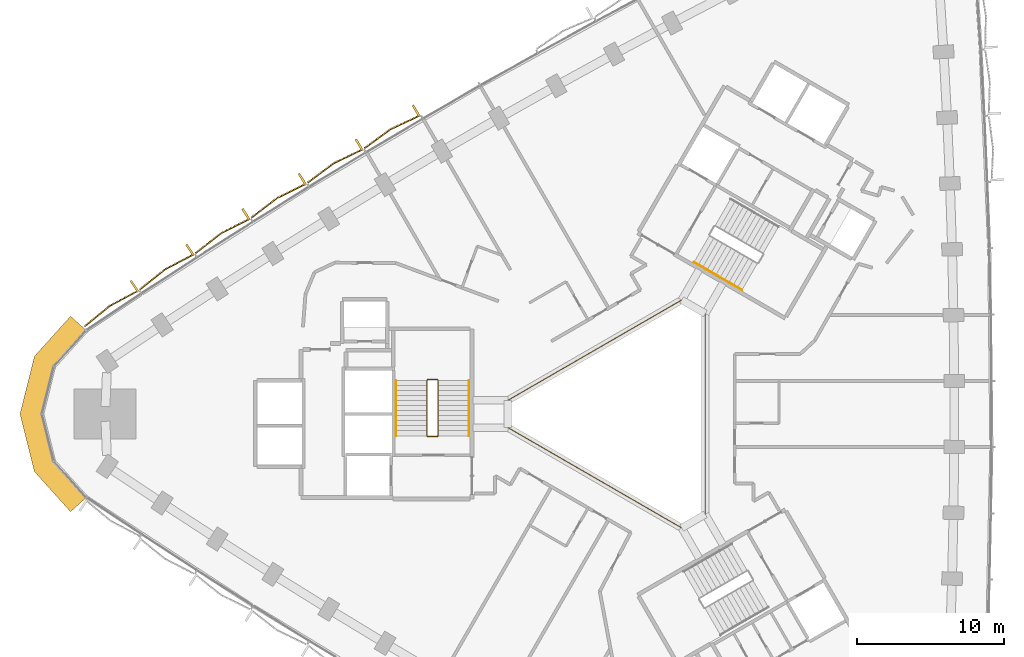
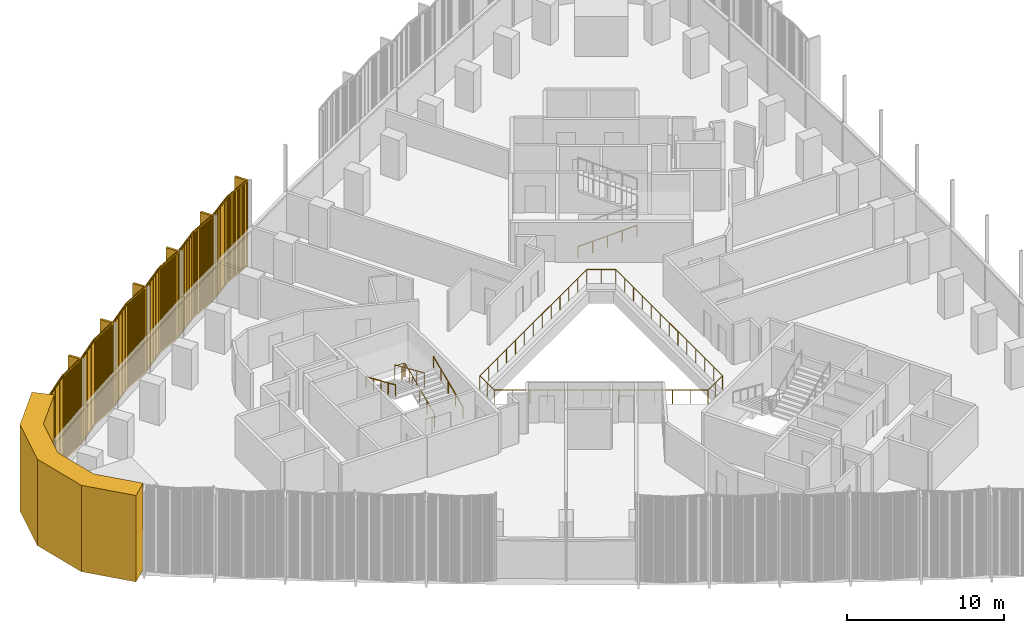
# One storey, part 15 of 16: 7 coverings, 5 railings.
"""IFC4 building model written with IfcOpenShell, lengths in metres."""

from ifc_helpers import new_model, si_unit, direction, frame, frame_2d, origin, origin_2d, place, context, subcontext, project, spatial, polyline, rectangle, circle, outline, extrude, source, transform, mapped, material, layer, layer_set, type_object, element, save


model = new_model("IFC4")

# Units and contexts
model_context = context("Model", 3, precision=1e-05, world=origin(), true_north=direction((0.0, 1.0)))
body_context = subcontext(model_context, "Body", "Model", "MODEL_VIEW")
ifc_project = project(units=[si_unit("LENGTHUNIT", "METRE"), si_unit("AREAUNIT", "SQUARE_METRE"), si_unit("VOLUMEUNIT", "CUBIC_METRE"), si_unit("PLANEANGLEUNIT", "RADIAN"), si_unit("MASSUNIT", "GRAM", prefix="KILO")], contexts=[model_context])

# Site, building, storey
site_placement = place(None, origin())
site = spatial("IfcSite", under=ifc_project, at=site_placement, CompositionType="ELEMENT")
building_placement = place(site_placement, origin())
building = spatial("IfcBuilding", under=site, at=building_placement, Name="Tamra Quay Hotel Tower", CompositionType="ELEMENT")
storey_placement = place(building_placement, frame((0.0, 0.0, 56.60009765625)))
storey = spatial("IfcBuildingStorey", under=building, at=storey_placement, Name="L12", CompositionType="ELEMENT", Elevation=56.60009765625)

# Covering
ifc_material_1 = material(Name="Precast concrete M60 terracotta-coloured", Category="masonry")
ifc_layer = layer(ifc_material_1, 1.449951171875)
ifc_layer_set = layer_set([ifc_layer], Name="CORNER PIER PANEL")
covering_type_1 = type_object("IfcCoveringType", Name="CORNER PIER PANEL", PredefinedType="CLADDING", material=ifc_layer_set)
covering_placement = place(storey_placement, origin())
element("IfcCovering", 1, at=covering_placement, inside=storey, type_object=covering_type_1, Name="Corner pier L12.north-west", PredefinedType="CLADDING", context=body_context, shape_type="SweptSolid", body=[
    extrude(outline(polyline([(-37.001708984375, 5.6669921875), (-38.0791015625, 6.63720703125), (-40.5341796875, 3.91064453125), (-41.509033203125, 0.0), (-40.5341796875, -3.91064453125), (-38.0791015625, -6.63720703125), (-37.001708984375, -5.6669921875), (-39.214599609375, -3.208984375), (-40.0146484375, 0.0), (-39.214599609375, 3.208984375), (-37.001708984375, 5.6669921875)])), origin(), (0.0, 0.0, 1.0), 6.724853515625),
])

# Railings
ifc_material_2 = material(Name="Guard atrium edge 1100")
railing_type_1 = type_object("IfcRailingType", Name="Guard atrium edge 1100", PredefinedType="GUARDRAIL", material=ifc_material_2)
railing_1_placement = place(storey_placement, frame((5.0, -6.81298828125, 0.0)))
element("IfcRailing", 2, at=railing_1_placement, inside=storey, type_object=railing_type_1, Name="G-A", PredefinedType="GUARDRAIL", context=body_context, shape_type="SweptSolid", body=[
    extrude(circle(Radius=0.02392578125, at=origin_2d()), frame((0.0, 0.0, 1.076171875), z_axis=(-0.866194386982, -0.499707198227, 0.0), x_axis=(0.499707198227, -0.866194386982, 0.0)), (0.0, 0.0, 1.0), 1.84716796875),
    extrude(circle(Radius=0.02392578125, at=origin_2d()), frame((-1.60009765625, -0.923095703125, 1.076171875), z_axis=(-0.866044747976, 0.49996649338, 0.0), x_axis=(-0.49996649338, -0.866044747976, 0.0)), (0.0, 0.0, 1.0), 13.625),
    extrude(circle(Radius=0.02392578125, at=origin_2d()), frame((-13.39990234375, 5.888916015625, 1.076171875), z_axis=(0.0, 1.0, 0.0), x_axis=(-1.0, 0.0, 0.0)), (0.0, 0.0, 1.0), 1.84814453125),
    extrude(circle(Radius=0.02392578125, at=origin_2d()), frame((-13.39990234375, 7.737060546875, 1.076171875), z_axis=(0.866044747976, 0.49996649338, 0.0), x_axis=(-0.49996649338, 0.866044747976, 0.0)), (0.0, 0.0, 1.0), 13.625),
    extrude(circle(Radius=0.02392578125, at=origin_2d()), frame((-1.60009765625, 14.549072265625, 1.076171875), z_axis=(0.866194386982, -0.499707198227, 0.0), x_axis=(0.499707198227, 0.866194386982, 0.0)), (0.0, 0.0, 1.0), 1.84716796875),
    extrude(circle(Radius=0.02392578125, at=origin_2d()), frame((0.0, 13.6259765625, 1.076171875), z_axis=(0.0, -1.0, 0.0), x_axis=(1.0, 0.0, 0.0)), (0.0, 0.0, 1.0), 13.6259765625),
    extrude(circle(Radius=0.02099609375, at=origin_2d()), origin(), (0.0, 0.0, 1.0), 1.052001953125),
    extrude(circle(Radius=0.02099609375, at=origin_2d()), frame((-0.800048828125, -0.46142578125, 0.0)), (0.0, 0.0, 1.0), 1.052001953125),
    extrude(circle(Radius=0.02099609375, at=origin_2d()), frame((-1.60009765625, -0.923095703125, 0.0)), (0.0, 0.0, 1.0), 1.052001953125),
    extrude(circle(Radius=0.02099609375, at=origin_2d()), frame((-2.58349609375, -0.35546875, 0.0)), (0.0, 0.0, 1.0), 1.052001953125),
    extrude(circle(Radius=0.02099609375, at=origin_2d()), frame((-3.566650390625, 0.212158203125, 0.0)), (0.0, 0.0, 1.0), 1.052001953125),
    extrude(circle(Radius=0.02099609375, at=origin_2d()), frame((-4.550048828125, 0.77978515625, 0.0)), (0.0, 0.0, 1.0), 1.052001953125),
    extrude(circle(Radius=0.02099609375, at=origin_2d()), frame((-5.533447265625, 1.34765625, 0.0)), (0.0, 0.0, 1.0), 1.052001953125),
    extrude(circle(Radius=0.02099609375, at=origin_2d()), frame((-6.5166015625, 1.915283203125, 0.0)), (0.0, 0.0, 1.0), 1.052001953125),
    extrude(circle(Radius=0.02099609375, at=origin_2d()), frame((-7.5, 2.48291015625, 0.0)), (0.0, 0.0, 1.0), 1.052001953125),
    extrude(circle(Radius=0.02099609375, at=origin_2d()), frame((-8.4833984375, 3.050537109375, 0.0)), (0.0, 0.0, 1.0), 1.052001953125),
    extrude(circle(Radius=0.02099609375, at=origin_2d()), frame((-9.466552734375, 3.6181640625, 0.0)), (0.0, 0.0, 1.0), 1.052001953125),
    extrude(circle(Radius=0.02099609375, at=origin_2d()), frame((-10.449951171875, 4.18603515625, 0.0)), (0.0, 0.0, 1.0), 1.052001953125),
    extrude(circle(Radius=0.02099609375, at=origin_2d()), frame((-11.433349609375, 4.753662109375, 0.0)), (0.0, 0.0, 1.0), 1.052001953125),
    extrude(circle(Radius=0.02099609375, at=origin_2d()), frame((-12.41650390625, 5.3212890625, 0.0)), (0.0, 0.0, 1.0), 1.052001953125),
    extrude(circle(Radius=0.02099609375, at=origin_2d()), frame((-13.39990234375, 5.888916015625, 0.0)), (0.0, 0.0, 1.0), 1.052001953125),
    extrude(circle(Radius=0.02099609375, at=origin_2d()), frame((-13.39990234375, 6.81298828125, 0.0)), (0.0, 0.0, 1.0), 1.052001953125),
    extrude(circle(Radius=0.02099609375, at=origin_2d()), frame((-13.39990234375, 7.737060546875, 0.0)), (0.0, 0.0, 1.0), 1.052001953125),
    extrude(circle(Radius=0.02099609375, at=origin_2d()), frame((-12.41650390625, 8.3046875, 0.0)), (0.0, 0.0, 1.0), 1.052001953125),
    extrude(circle(Radius=0.02099609375, at=origin_2d()), frame((-11.433349609375, 8.872314453125, 0.0)), (0.0, 0.0, 1.0), 1.052001953125),
    extrude(circle(Radius=0.02099609375, at=origin_2d()), frame((-10.449951171875, 9.43994140625, 0.0)), (0.0, 0.0, 1.0), 1.052001953125),
    extrude(circle(Radius=0.02099609375, at=origin_2d()), frame((-9.466552734375, 10.0078125, 0.0)), (0.0, 0.0, 1.0), 1.052001953125),
    extrude(circle(Radius=0.02099609375, at=origin_2d()), frame((-8.4833984375, 10.575439453125, 0.0)), (0.0, 0.0, 1.0), 1.052001953125),
    extrude(circle(Radius=0.02099609375, at=origin_2d()), frame((-7.5, 11.14306640625, 0.0)), (0.0, 0.0, 1.0), 1.052001953125),
    extrude(circle(Radius=0.02099609375, at=origin_2d()), frame((-6.5166015625, 11.710693359375, 0.0)), (0.0, 0.0, 1.0), 1.052001953125),
    extrude(circle(Radius=0.02099609375, at=origin_2d()), frame((-5.533447265625, 12.2783203125, 0.0)), (0.0, 0.0, 1.0), 1.052001953125),
    extrude(circle(Radius=0.02099609375, at=origin_2d()), frame((-4.550048828125, 12.84619140625, 0.0)), (0.0, 0.0, 1.0), 1.052001953125),
    extrude(circle(Radius=0.02099609375, at=origin_2d()), frame((-3.566650390625, 13.413818359375, 0.0)), (0.0, 0.0, 1.0), 1.052001953125),
    extrude(circle(Radius=0.02099609375, at=origin_2d()), frame((-2.58349609375, 13.9814453125, 0.0)), (0.0, 0.0, 1.0), 1.052001953125),
    extrude(circle(Radius=0.02099609375, at=origin_2d()), frame((-1.60009765625, 14.549072265625, 0.0)), (0.0, 0.0, 1.0), 1.052001953125),
    extrude(circle(Radius=0.02099609375, at=origin_2d()), frame((-0.800048828125, 14.08740234375, 0.0)), (0.0, 0.0, 1.0), 1.052001953125),
    extrude(circle(Radius=0.02099609375, at=origin_2d()), frame((0.0, 13.6259765625, 0.0)), (0.0, 0.0, 1.0), 1.052001953125),
    extrude(circle(Radius=0.02099609375, at=origin_2d()), frame((0.0, 12.490478515625, 0.0)), (0.0, 0.0, 1.0), 1.052001953125),
    extrude(circle(Radius=0.02099609375, at=origin_2d()), frame((0.0, 11.35498046875, 0.0)), (0.0, 0.0, 1.0), 1.052001953125),
    extrude(circle(Radius=0.02099609375, at=origin_2d()), frame((0.0, 10.219482421875, 0.0)), (0.0, 0.0, 1.0), 1.052001953125),
    extrude(circle(Radius=0.02099609375, at=origin_2d()), frame((0.0, 9.083984375, 0.0)), (0.0, 0.0, 1.0), 1.052001953125),
    extrude(circle(Radius=0.02099609375, at=origin_2d()), frame((0.0, 7.948486328125, 0.0)), (0.0, 0.0, 1.0), 1.052001953125),
    extrude(circle(Radius=0.02099609375, at=origin_2d()), frame((0.0, 6.81298828125, 0.0)), (0.0, 0.0, 1.0), 1.052001953125),
    extrude(circle(Radius=0.02099609375, at=origin_2d()), frame((0.0, 5.677490234375, 0.0)), (0.0, 0.0, 1.0), 1.052001953125),
    extrude(circle(Radius=0.02099609375, at=origin_2d()), frame((0.0, 4.5419921875, 0.0)), (0.0, 0.0, 1.0), 1.052001953125),
    extrude(circle(Radius=0.02099609375, at=origin_2d()), frame((0.0, 3.406494140625, 0.0)), (0.0, 0.0, 1.0), 1.052001953125),
    extrude(circle(Radius=0.02099609375, at=origin_2d()), frame((0.0, 2.27099609375, 0.0)), (0.0, 0.0, 1.0), 1.052001953125),
    extrude(circle(Radius=0.02099609375, at=origin_2d()), frame((0.0, 1.135498046875, 0.0)), (0.0, 0.0, 1.0), 1.052001953125),
])
ifc_material_3 = material(Name="Stair guard 1100")
railing_type_2 = type_object("IfcRailingType", Name="Stair guard 1100", PredefinedType="GUARDRAIL", material=ifc_material_3)
railing_2_placement = place(storey_placement, frame((-13.84130859375, -1.530029296875, 0.0)))
element("IfcRailing", 3, at=railing_2_placement, inside=storey, type_object=railing_type_2, Name="GR", PredefinedType="GUARDRAIL", context=body_context, shape_type="SweptSolid", body=[
    extrude(circle(Radius=0.02392578125, at=origin_2d()), frame((0.0, 0.0, 1.076171875), z_axis=(1.0, 0.0, 0.0), x_axis=(0.0, 1.0, 0.0)), (0.0, 0.0, 1.0), 0.658935546875),
    extrude(circle(Radius=0.02392578125, at=origin_2d()), frame((0.658935546875, 0.0, 1.076171875), z_axis=(0.301912943143, 0.301912943143, 0.904266083366), x_axis=(-0.707106781187, 0.707106781187, 0.0)), (0.0, 0.0, 1.0), 0.165771484375),
    extrude(circle(Radius=0.02392578125, at=origin_2d()), frame((0.708984375, 0.050048828125, 1.22607421875), z_axis=(0.0, 0.915795495799, 0.401644880304), x_axis=(-1.0, 0.0, 0.0)), (0.0, 0.0, 1.0), 4.10791015625),
    extrude(circle(Radius=0.02392578125, at=origin_2d()), frame((0.708984375, 3.81201171875, 2.8759765625), z_axis=(-0.708833529934, 0.705375805398, 0.0), x_axis=(-0.705375805398, -0.708833529934, 0.0)), (0.0, 0.0, 1.0), 0.070556640625),
    extrude(circle(Radius=0.02392578125, at=origin_2d()), frame((0.658935546875, 3.86181640625, 2.8759765625), z_axis=(-1.0, 0.0, 0.0), x_axis=(0.0, -1.0, 0.0)), (0.0, 0.0, 1.0), 0.658935546875),
    extrude(circle(Radius=0.02392578125, at=origin_2d()), frame((0.0, 3.86181640625, 2.8759765625), z_axis=(-0.301644814947, -0.300173376825, 0.904934444842), x_axis=(0.705375805398, -0.708833529934, 0.0)), (0.0, 0.0, 1.0), 0.166015625),
    extrude(circle(Radius=0.02392578125, at=origin_2d()), frame((-0.050048828125, 3.81201171875, 3.02587890625), z_axis=(0.0, -0.915795495799, 0.401644880304), x_axis=(1.0, 0.0, 0.0)), (0.0, 0.0, 1.0), 4.10791015625),
    extrude(circle(Radius=0.02099609375, at=origin_2d()), origin(), (0.0, 0.0, 1.0), 1.052001953125),
    extrude(circle(Radius=0.02099609375, at=origin_2d()), frame((0.658935546875, 0.0, 0.0)), (0.0, 0.0, 1.0), 1.052001953125),
    extrude(circle(Radius=0.02099609375, at=origin_2d()), frame((0.708984375, 0.050048828125, 0.14990234375)), (0.0, 0.0, 1.0), 1.052001953125),
    extrude(circle(Radius=0.02099609375, at=origin_2d()), frame((0.708984375, 0.990478515625, 0.5625)), (0.0, 0.0, 1.0), 1.052001953125),
    extrude(circle(Radius=0.02099609375, at=origin_2d()), frame((0.708984375, 1.93115234375, 0.974853515625)), (0.0, 0.0, 1.0), 1.052001953125),
    extrude(circle(Radius=0.02099609375, at=origin_2d()), frame((0.708984375, 2.87158203125, 1.38720703125)), (0.0, 0.0, 1.0), 1.052001953125),
    extrude(circle(Radius=0.02099609375, at=origin_2d()), frame((0.708984375, 3.81201171875, 1.7998046875)), (0.0, 0.0, 1.0), 1.052001953125),
    extrude(circle(Radius=0.02099609375, at=origin_2d()), frame((0.658935546875, 3.86181640625, 1.7998046875)), (0.0, 0.0, 1.0), 1.052001953125),
    extrude(circle(Radius=0.02099609375, at=origin_2d()), frame((0.0, 3.86181640625, 1.7998046875)), (0.0, 0.0, 1.0), 1.052001953125),
    extrude(circle(Radius=0.02099609375, at=origin_2d()), frame((-0.050048828125, 3.81201171875, 1.949951171875)), (0.0, 0.0, 1.0), 1.052001953125),
    extrude(circle(Radius=0.02099609375, at=origin_2d()), frame((-0.050048828125, 2.87158203125, 2.3623046875)), (0.0, 0.0, 1.0), 1.052001953125),
    extrude(circle(Radius=0.02099609375, at=origin_2d()), frame((-0.050048828125, 1.93115234375, 2.77490234375)), (0.0, 0.0, 1.0), 1.052001953125),
    extrude(circle(Radius=0.02099609375, at=origin_2d()), frame((-0.050048828125, 0.990478515625, 3.1875)), (0.0, 0.0, 1.0), 1.052001953125),
    extrude(circle(Radius=0.02099609375, at=origin_2d()), frame((-0.050048828125, 0.050048828125, 3.599853515625)), (0.0, 0.0, 1.0), 1.052001953125),
])
ifc_material_4 = material(Name="Stair handrail 900")
railing_type_3 = type_object("IfcRailingType", Name="Stair handrail 900", PredefinedType="HANDRAIL", material=ifc_material_4)
railing_3_placement = place(storey_placement, frame((-11.0322265625, -1.47998046875, 0.14990234375)))
element("IfcRailing", 4, at=railing_3_placement, inside=storey, type_object=railing_type_3, Name="HR", PredefinedType="HANDRAIL", context=body_context, shape_type="SweptSolid", body=[
    extrude(circle(Radius=0.02392578125, at=origin_2d()), frame((0.0, 0.0, 0.8759765625), z_axis=(0.0, 0.915795495799, 0.401644880304), x_axis=(-1.0, 0.0, 0.0)), (0.0, 0.0, 1.0), 4.10791015625),
    extrude(circle(Radius=0.02099609375, at=origin_2d()), origin(), (0.0, 0.0, 1.0), 0.851806640625),
    extrude(circle(Radius=0.02099609375, at=origin_2d()), frame((0.0, 0.9404296875, 0.41259765625)), (0.0, 0.0, 1.0), 0.851806640625),
    extrude(circle(Radius=0.02099609375, at=origin_2d()), frame((0.0, 1.880859375, 0.824951171875)), (0.0, 0.0, 1.0), 0.851806640625),
    extrude(circle(Radius=0.02099609375, at=origin_2d()), frame((0.0, 2.821533203125, 1.2373046875)), (0.0, 0.0, 1.0), 0.851806640625),
    extrude(circle(Radius=0.02099609375, at=origin_2d()), frame((0.0, 3.761962890625, 1.64990234375)), (0.0, 0.0, 1.0), 0.851806640625),
])
railing_4_placement = place(storey_placement, frame((-15.9912109375, 2.281982421875, 1.949951171875)))
element("IfcRailing", 5, at=railing_4_placement, inside=storey, type_object=railing_type_3, Name="HR", PredefinedType="HANDRAIL", context=body_context, shape_type="SweptSolid", body=[
    extrude(circle(Radius=0.02392578125, at=origin_2d()), frame((0.0, 0.0, 0.8759765625), z_axis=(0.0, -0.915795495799, 0.401644880304), x_axis=(1.0, 0.0, 0.0)), (0.0, 0.0, 1.0), 4.10791015625),
    extrude(circle(Radius=0.02099609375, at=origin_2d()), origin(), (0.0, 0.0, 1.0), 0.851806640625),
    extrude(circle(Radius=0.02099609375, at=origin_2d()), frame((0.0, -0.9404296875, 0.41259765625)), (0.0, 0.0, 1.0), 0.851806640625),
    extrude(circle(Radius=0.02099609375, at=origin_2d()), frame((0.0, -1.880859375, 0.824951171875)), (0.0, 0.0, 1.0), 0.851806640625),
    extrude(circle(Radius=0.02099609375, at=origin_2d()), frame((0.0, -2.821533203125, 1.2373046875)), (0.0, 0.0, 1.0), 0.851806640625),
    extrude(circle(Radius=0.02099609375, at=origin_2d()), frame((0.0, -3.761962890625, 1.64990234375)), (0.0, 0.0, 1.0), 0.851806640625),
])
railing_5_placement = place(storey_placement, frame((4.234375, 10.294189453125, 0.14990234375)))
element("IfcRailing", 6, at=railing_5_placement, inside=storey, type_object=railing_type_3, Name="HR", PredefinedType="HANDRAIL", context=body_context, shape_type="SweptSolid", body=[
    extrude(circle(Radius=0.02392578125, at=origin_2d()), frame((0.0, 0.0, 0.8759765625), z_axis=(0.793122095483, -0.45786531462, 0.401642496911), x_axis=(0.499964013922, 0.86604617936, 0.0)), (0.0, 0.0, 1.0), 4.10791015625),
    extrude(circle(Radius=0.02099609375, at=origin_2d()), origin(), (0.0, 0.0, 1.0), 0.851806640625),
    extrude(circle(Radius=0.02099609375, at=origin_2d()), frame((0.814453125, -0.47021484375, 0.41259765625)), (0.0, 0.0, 1.0), 0.851806640625),
    extrude(circle(Radius=0.02099609375, at=origin_2d()), frame((1.62890625, -0.9404296875, 0.824951171875)), (0.0, 0.0, 1.0), 0.851806640625),
    extrude(circle(Radius=0.02099609375, at=origin_2d()), frame((2.443603515625, -1.41064453125, 1.2373046875)), (0.0, 0.0, 1.0), 0.851806640625),
    extrude(circle(Radius=0.02099609375, at=origin_2d()), frame((3.258056640625, -1.880859375, 1.64990234375)), (0.0, 0.0, 1.0), 0.851806640625),
])

# Coverings
ifc_material_5 = material(Name="Terracotta baguette extruded", Category="masonry")
covering_type_2 = type_object("IfcCoveringType", Name="BAGUETTE SCREEN NW-V H6725", PredefinedType="USERDEFINED", material=ifc_material_5)
shared_shape = source(origin(), body_context, "Body", "SweptSolid", [
    extrude(rectangle(XDim=2.212646484375, YDim=0.06005859375, at=frame_2d((1.1064453125, 0.030029296875))), frame((-2.208251953125, -0.0576171875, -0.1201171875), z_axis=(0.0, 0.0, 1.0), x_axis=(0.995396198367, -0.09584575252, 0.0)), (0.0, 0.0, 1.0), 0.1201171875),
    extrude(rectangle(XDim=2.212646484375, YDim=0.06005859375, at=frame_2d((1.1064453125, 0.030029296875))), frame((-2.208251953125, -0.0576171875, -6.72509765625), z_axis=(0.0, 0.0, 1.0), x_axis=(0.995396198367, -0.09584575252, 0.0)), (0.0, 0.0, 1.0), 0.1201171875),
    extrude(rectangle(XDim=0.070068359375, YDim=0.10009765625, at=frame_2d((0.03515625, 0.050048828125))), frame((-2.1875, -0.1328125, -6.6650390625)), (0.0, 0.0, 1.0), 6.60498046875),
    extrude(rectangle(XDim=0.070068359375, YDim=0.10009765625, at=frame_2d((0.03515625, 0.050048828125))), frame((-2.08740234375, -0.142578125, -6.6650390625)), (0.0, 0.0, 1.0), 6.60498046875),
    extrude(rectangle(XDim=0.070068359375, YDim=0.10009765625, at=frame_2d((0.03515625, 0.050048828125))), frame((-1.9873046875, -0.152099609375, -6.6650390625)), (0.0, 0.0, 1.0), 6.60498046875),
    extrude(rectangle(XDim=0.070068359375, YDim=0.10009765625, at=frame_2d((0.03515625, 0.050048828125))), frame((-1.88720703125, -0.16162109375, -6.6650390625)), (0.0, 0.0, 1.0), 6.60498046875),
    extrude(rectangle(XDim=0.070068359375, YDim=0.10009765625, at=frame_2d((0.03515625, 0.050048828125))), frame((-1.787109375, -0.17138671875, -6.6650390625)), (0.0, 0.0, 1.0), 6.60498046875),
    extrude(rectangle(XDim=0.070068359375, YDim=0.10009765625, at=frame_2d((0.03515625, 0.050048828125))), frame((-1.686767578125, -0.180908203125, -6.6650390625)), (0.0, 0.0, 1.0), 6.60498046875),
    extrude(rectangle(XDim=0.070068359375, YDim=0.10009765625, at=frame_2d((0.03515625, 0.050048828125))), frame((-1.586669921875, -0.190673828125, -6.6650390625)), (0.0, 0.0, 1.0), 6.60498046875),
    extrude(rectangle(XDim=0.070068359375, YDim=0.10009765625, at=frame_2d((0.03515625, 0.050048828125))), frame((-1.486572265625, -0.2001953125, -6.6650390625)), (0.0, 0.0, 1.0), 6.60498046875),
    extrude(rectangle(XDim=0.070068359375, YDim=0.10009765625, at=frame_2d((0.03515625, 0.050048828125))), frame((-1.386474609375, -0.2099609375, -6.6650390625)), (0.0, 0.0, 1.0), 6.60498046875),
    extrude(rectangle(XDim=0.070068359375, YDim=0.10009765625, at=frame_2d((0.03515625, 0.050048828125))), frame((-1.286376953125, -0.219482421875, -6.6650390625)), (0.0, 0.0, 1.0), 6.60498046875),
    extrude(rectangle(XDim=0.070068359375, YDim=0.10009765625, at=frame_2d((0.03515625, 0.050048828125))), frame((-1.186279296875, -0.229248046875, -6.6650390625)), (0.0, 0.0, 1.0), 6.60498046875),
    extrude(rectangle(XDim=0.070068359375, YDim=0.10009765625, at=frame_2d((0.03515625, 0.050048828125))), frame((-1.086181640625, -0.23876953125, -6.6650390625)), (0.0, 0.0, 1.0), 6.60498046875),
    extrude(rectangle(XDim=0.070068359375, YDim=0.10009765625, at=frame_2d((0.03515625, 0.050048828125))), frame((-0.986083984375, -0.24853515625, -6.6650390625)), (0.0, 0.0, 1.0), 6.60498046875),
    extrude(rectangle(XDim=0.070068359375, YDim=0.10009765625, at=frame_2d((0.03515625, 0.050048828125))), frame((-0.885986328125, -0.258056640625, -6.6650390625)), (0.0, 0.0, 1.0), 6.60498046875),
    extrude(rectangle(XDim=0.070068359375, YDim=0.10009765625, at=frame_2d((0.03515625, 0.050048828125))), frame((-0.785888671875, -0.267822265625, -6.6650390625)), (0.0, 0.0, 1.0), 6.60498046875),
    extrude(rectangle(XDim=0.070068359375, YDim=0.10009765625, at=frame_2d((0.03515625, 0.050048828125))), frame((-0.685791015625, -0.27734375, -6.6650390625)), (0.0, 0.0, 1.0), 6.60498046875),
    extrude(rectangle(XDim=0.070068359375, YDim=0.10009765625, at=frame_2d((0.03515625, 0.050048828125))), frame((-0.585693359375, -0.287109375, -6.6650390625)), (0.0, 0.0, 1.0), 6.60498046875),
    extrude(rectangle(XDim=0.070068359375, YDim=0.10009765625, at=frame_2d((0.03515625, 0.050048828125))), frame((-0.485595703125, -0.296630859375, -6.6650390625)), (0.0, 0.0, 1.0), 6.60498046875),
    extrude(rectangle(XDim=0.070068359375, YDim=0.10009765625, at=frame_2d((0.03515625, 0.050048828125))), frame((-0.385498046875, -0.306396484375, -6.6650390625)), (0.0, 0.0, 1.0), 6.60498046875),
    extrude(rectangle(XDim=0.070068359375, YDim=0.10009765625, at=frame_2d((0.03515625, 0.050048828125))), frame((-0.285400390625, -0.31591796875, -6.6650390625)), (0.0, 0.0, 1.0), 6.60498046875),
    extrude(rectangle(XDim=0.070068359375, YDim=0.10009765625, at=frame_2d((0.03515625, 0.050048828125))), frame((-0.18505859375, -0.32568359375, -6.6650390625)), (0.0, 0.0, 1.0), 6.60498046875),
    extrude(rectangle(XDim=0.070068359375, YDim=0.10009765625, at=frame_2d((0.03515625, 0.050048828125))), frame((-0.0849609375, -0.335205078125, -6.6650390625)), (0.0, 0.0, 1.0), 6.60498046875),
    extrude(rectangle(XDim=2.212646484375, YDim=0.06005859375, at=frame_2d((1.1064453125, 0.030029296875))), frame((0.005859375, -0.269775390625, -0.1201171875), z_axis=(0.0, 0.0, 1.0), x_axis=(0.995396198367, 0.09584575252, 0.0)), (0.0, 0.0, 1.0), 0.1201171875),
    extrude(rectangle(XDim=2.212646484375, YDim=0.06005859375, at=frame_2d((1.1064453125, 0.030029296875))), frame((0.005859375, -0.269775390625, -6.72509765625), z_axis=(0.0, 0.0, 1.0), x_axis=(0.995396198367, 0.09584575252, 0.0)), (0.0, 0.0, 1.0), 0.1201171875),
    extrude(rectangle(XDim=0.070068359375, YDim=0.10009765625, at=frame_2d((0.03515625, 0.050048828125))), frame((0.01513671875, -0.335205078125, -6.6650390625)), (0.0, 0.0, 1.0), 6.60498046875),
    extrude(rectangle(XDim=0.070068359375, YDim=0.10009765625, at=frame_2d((0.03515625, 0.050048828125))), frame((0.115234375, -0.32568359375, -6.6650390625)), (0.0, 0.0, 1.0), 6.60498046875),
    extrude(rectangle(XDim=0.070068359375, YDim=0.10009765625, at=frame_2d((0.03515625, 0.050048828125))), frame((0.21533203125, -0.31591796875, -6.6650390625)), (0.0, 0.0, 1.0), 6.60498046875),
    extrude(rectangle(XDim=0.070068359375, YDim=0.10009765625, at=frame_2d((0.03515625, 0.050048828125))), frame((0.3154296875, -0.306396484375, -6.6650390625)), (0.0, 0.0, 1.0), 6.60498046875),
    extrude(rectangle(XDim=0.070068359375, YDim=0.10009765625, at=frame_2d((0.03515625, 0.050048828125))), frame((0.41552734375, -0.296630859375, -6.6650390625)), (0.0, 0.0, 1.0), 6.60498046875),
    extrude(rectangle(XDim=0.070068359375, YDim=0.10009765625, at=frame_2d((0.03515625, 0.050048828125))), frame((0.515625, -0.287109375, -6.6650390625)), (0.0, 0.0, 1.0), 6.60498046875),
    extrude(rectangle(XDim=0.070068359375, YDim=0.10009765625, at=frame_2d((0.03515625, 0.050048828125))), frame((0.61572265625, -0.27734375, -6.6650390625)), (0.0, 0.0, 1.0), 6.60498046875),
    extrude(rectangle(XDim=0.070068359375, YDim=0.10009765625, at=frame_2d((0.03515625, 0.050048828125))), frame((0.7158203125, -0.267822265625, -6.6650390625)), (0.0, 0.0, 1.0), 6.60498046875),
    extrude(rectangle(XDim=0.070068359375, YDim=0.10009765625, at=frame_2d((0.03515625, 0.050048828125))), frame((0.81591796875, -0.258056640625, -6.6650390625)), (0.0, 0.0, 1.0), 6.60498046875),
    extrude(rectangle(XDim=0.070068359375, YDim=0.10009765625, at=frame_2d((0.03515625, 0.050048828125))), frame((0.916015625, -0.24853515625, -6.6650390625)), (0.0, 0.0, 1.0), 6.60498046875),
    extrude(rectangle(XDim=0.070068359375, YDim=0.10009765625, at=frame_2d((0.03515625, 0.050048828125))), frame((1.01611328125, -0.23876953125, -6.6650390625)), (0.0, 0.0, 1.0), 6.60498046875),
    extrude(rectangle(XDim=0.070068359375, YDim=0.10009765625, at=frame_2d((0.03515625, 0.050048828125))), frame((1.1162109375, -0.229248046875, -6.6650390625)), (0.0, 0.0, 1.0), 6.60498046875),
    extrude(rectangle(XDim=0.070068359375, YDim=0.10009765625, at=frame_2d((0.03515625, 0.050048828125))), frame((1.21630859375, -0.219482421875, -6.6650390625)), (0.0, 0.0, 1.0), 6.60498046875),
    extrude(rectangle(XDim=0.070068359375, YDim=0.10009765625, at=frame_2d((0.03515625, 0.050048828125))), frame((1.316650390625, -0.2099609375, -6.6650390625)), (0.0, 0.0, 1.0), 6.60498046875),
    extrude(rectangle(XDim=0.070068359375, YDim=0.10009765625, at=frame_2d((0.03515625, 0.050048828125))), frame((1.416748046875, -0.2001953125, -6.6650390625)), (0.0, 0.0, 1.0), 6.60498046875),
    extrude(rectangle(XDim=0.070068359375, YDim=0.10009765625, at=frame_2d((0.03515625, 0.050048828125))), frame((1.516845703125, -0.190673828125, -6.6650390625)), (0.0, 0.0, 1.0), 6.60498046875),
    extrude(rectangle(XDim=0.070068359375, YDim=0.10009765625, at=frame_2d((0.03515625, 0.050048828125))), frame((1.616943359375, -0.180908203125, -6.6650390625)), (0.0, 0.0, 1.0), 6.60498046875),
    extrude(rectangle(XDim=0.070068359375, YDim=0.10009765625, at=frame_2d((0.03515625, 0.050048828125))), frame((1.717041015625, -0.17138671875, -6.6650390625)), (0.0, 0.0, 1.0), 6.60498046875),
    extrude(rectangle(XDim=0.070068359375, YDim=0.10009765625, at=frame_2d((0.03515625, 0.050048828125))), frame((1.817138671875, -0.16162109375, -6.6650390625)), (0.0, 0.0, 1.0), 6.60498046875),
    extrude(rectangle(XDim=0.070068359375, YDim=0.10009765625, at=frame_2d((0.03515625, 0.050048828125))), frame((1.917236328125, -0.152099609375, -6.6650390625)), (0.0, 0.0, 1.0), 6.60498046875),
    extrude(rectangle(XDim=0.070068359375, YDim=0.10009765625, at=frame_2d((0.03515625, 0.050048828125))), frame((2.017333984375, -0.142578125, -6.6650390625)), (0.0, 0.0, 1.0), 6.60498046875),
    extrude(rectangle(XDim=0.070068359375, YDim=0.10009765625, at=frame_2d((0.03515625, 0.050048828125))), frame((2.117431640625, -0.1328125, -6.6650390625)), (0.0, 0.0, 1.0), 6.60498046875),
    extrude(rectangle(XDim=0.14990234375, YDim=0.902099609375, at=frame_2d((0.074951171875, 0.451171875))), frame((-2.202392578125, -0.89990234375, -6.72509765625)), (0.0, 0.0, 1.0), 6.72509765625),
])
for number, where, z_axis, x_axis, name in (
    (7, (-16.21875, 19.09228515625, 6.724853515625), (0.0, 0.0, 1.0), (-0.860556647162, -0.509354745757, 0.0), "Baguette screen L12.NW.f07"),
    (8, (-20.079345703125, 16.77880859375, 6.724853515625), (0.0, 0.0, 1.0), (-0.85499355735, -0.51863861878, 0.0), "Baguette screen L12.NW.f08"),
    (9, (-23.91455078125, 14.423828125, 6.724853515625), (0.0, 0.0, 1.0), (-0.849331223164, -0.527860278254, 0.0), "Baguette screen L12.NW.f09"),
    (10, (-27.7236328125, 12.028076171875, 6.724853515625), (0.0, 0.0, 1.0), (-0.84357098627, -0.537017682319, 0.0), "Baguette screen L12.NW.f10"),
    (11, (-31.507080078125, 9.590576171875, 6.724853515625), (0.0, 0.0, 1.0), (-0.837727846152, -0.546087956086, 0.0), "Baguette screen L12.NW.f11"),
    (12, (-35.263671875, 7.11279296875, 6.724853515625), (0.0, 0.0, 1.0), (-0.831797967949, -0.555078499418, 0.0), "Baguette screen L12.NW.f12"),
):
    element("IfcCovering", number, at=place(storey_placement, frame(where, z_axis=z_axis, x_axis=x_axis)), inside=storey, type_object=covering_type_2, Name=name, ObjectType="BAGUETTE SCREEN", PredefinedType="USERDEFINED", context=body_context, shape_type="MappedRepresentation", body=[
        mapped(shared_shape, transform((0.0, 0.0, 0.0), scale=1.0)),
    ])

save(model, "model.ifc")
